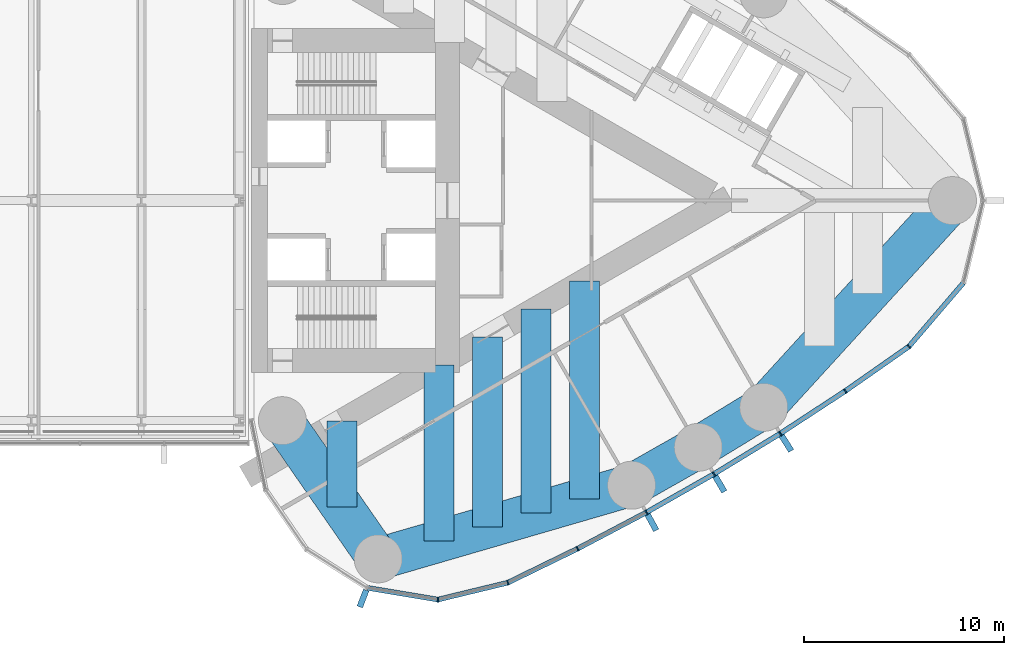
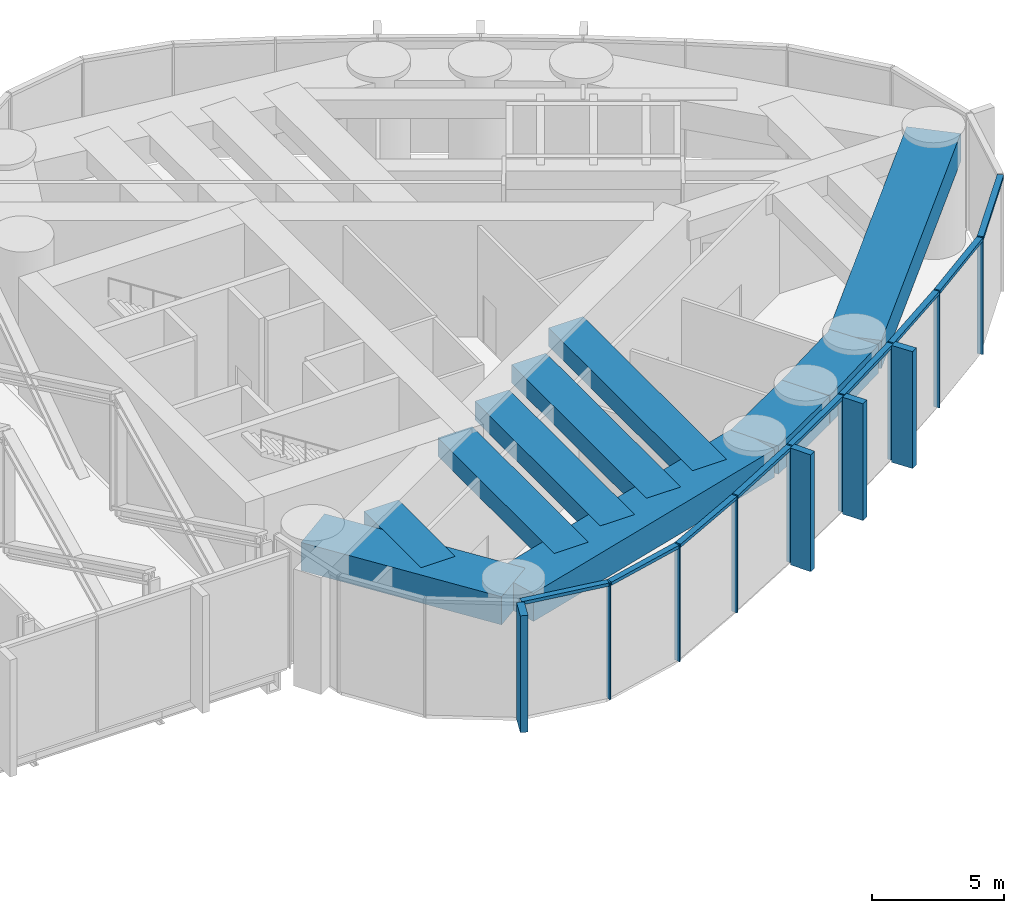
# One storey, part 9 of 21: 21 members, 10 beams, 1 element without a shape of its own.
"""IFC4 building model written with IfcOpenShell, lengths in metres."""

from ifc_helpers import new_model, si_unit, direction, frame, origin, origin_2d, place, context, subcontext, project, spatial, rectangle, extrude, material, material_profile, profile_set, type_object, element, aggregate, save


model = new_model("IFC4")

# Units and contexts
model_context = context("Model", 3, precision=1e-05, world=origin(), true_north=direction((0.0, 1.0)))
body_context = subcontext(model_context, "Body", "Model", "MODEL_VIEW")
ifc_project = project(units=[si_unit("LENGTHUNIT", "METRE"), si_unit("AREAUNIT", "SQUARE_METRE"), si_unit("VOLUMEUNIT", "CUBIC_METRE"), si_unit("PLANEANGLEUNIT", "RADIAN"), si_unit("MASSUNIT", "GRAM", prefix="KILO")], contexts=[model_context])

# Site, building, storey
site_placement = place(None, origin())
site = spatial("IfcSite", under=ifc_project, at=site_placement, CompositionType="ELEMENT")
building_placement = place(site_placement, origin())
building = spatial("IfcBuilding", under=site, at=building_placement, Name="Lancet Gate Hotel", CompositionType="ELEMENT")
storey_placement = place(building_placement, frame((0.0, 0.0, 251.89990234375)))
storey = spatial("IfcBuildingStorey", under=building, at=storey_placement, Name="L67", CompositionType="ELEMENT", Elevation=251.89990234375)

# Curtain wall, members
ifc_material_1 = material(Name="Aluminium curtain wall", Category="aluminium")
curtain_wall_type = type_object("IfcCurtainWallType", Name="Sky deck full-height glazing", PredefinedType="USERDEFINED", material=ifc_material_1)
curtain_wall_placement = place(storey_placement, origin())
curtain_wall = element("IfcCurtainWall", 1, at=curtain_wall_placement, inside=storey, type_object=curtain_wall_type, Name="T2 L67 curtain wall 1", ObjectType="UNITISED CURTAIN WALL", PredefinedType="USERDEFINED")
ifc_material_2 = material(Name="Aluminium mullion", Category="aluminium")
ifc_material_profile_1 = material_profile(ifc_material_2, rectangle(XDim=0.06494140625, YDim=0.25, at=origin_2d()), Name="MULLION 65x250")
ifc_profile_set_1 = profile_set([ifc_material_profile_1], Name="Aluminium mullion")
member_type_1 = type_object("IfcMemberType", Name="Aluminium mullion 65x250", PredefinedType="MULLION", material=ifc_profile_set_1)
member_1_placement = place(storey_placement, frame((36.826171875, -19.942138671875, 0.0), z_axis=(0.0, 0.0, 1.0), x_axis=(0.999342744911, 0.03625021647, 0.0)))
member_1 = element("IfcMember", 2, at=member_1_placement, type_object=member_type_1, Name="T2 L67 curtain wall 1 mullion 5", PredefinedType="MULLION", context=body_context, shape_type="SweptSolid", body=[
    extrude(rectangle(XDim=0.06494140625, YDim=0.25, at=origin_2d()), origin(), (0.0, 0.0, 1.0), 5.400146484375),
])
member_2_placement = place(storey_placement, frame((40.3173828125, -19.098388671875, 0.0), z_axis=(0.0, 0.0, 1.0), x_axis=(0.939483740419, 0.342593493061, 0.0)))
member_2 = element("IfcMember", 3, at=member_2_placement, type_object=member_type_1, Name="T2 L67 curtain wall 1 mullion 6", PredefinedType="MULLION", context=body_context, shape_type="SweptSolid", body=[
    extrude(rectangle(XDim=0.06494140625, YDim=0.25, at=origin_2d()), origin(), (0.0, 0.0, 1.0), 5.400146484375),
])
member_3_placement = place(storey_placement, frame((43.80810546875, -17.396240234375, 0.0), z_axis=(0.0, 0.0, 1.0), x_axis=(0.891832977257, 0.452364831389, 0.0)))
member_3 = element("IfcMember", 4, at=member_3_placement, type_object=member_type_1, Name="T2 L67 curtain wall 1 mullion 7", PredefinedType="MULLION", context=body_context, shape_type="SweptSolid", body=[
    extrude(rectangle(XDim=0.06494140625, YDim=0.25, at=origin_2d()), origin(), (0.0, 0.0, 1.0), 5.400146484375),
])
member_4_placement = place(storey_placement, frame((47.24365234375, -15.585205078125, 0.0), z_axis=(0.0, 0.0, 1.0), x_axis=(0.877194589488, 0.480135035352, 0.0)))
member_4 = element("IfcMember", 5, at=member_4_placement, type_object=member_type_1, Name="T2 L67 curtain wall 1 mullion 8", PredefinedType="MULLION", context=body_context, shape_type="SweptSolid", body=[
    extrude(rectangle(XDim=0.06494140625, YDim=0.25, at=origin_2d()), origin(), (0.0, 0.0, 1.0), 5.400146484375),
])
member_5_placement = place(storey_placement, frame((50.62060546875, -13.667236328125, 0.0), z_axis=(0.0, 0.0, 1.0), x_axis=(0.861691755738, 0.507432082247, 0.0)))
member_5 = element("IfcMember", 6, at=member_5_placement, type_object=member_type_1, Name="T2 L67 curtain wall 1 mullion 9", PredefinedType="MULLION", context=body_context, shape_type="SweptSolid", body=[
    extrude(rectangle(XDim=0.06494140625, YDim=0.25, at=origin_2d()), origin(), (0.0, 0.0, 1.0), 5.400146484375),
])
member_6_placement = place(storey_placement, frame((53.935791015625, -11.644287109375, 0.0), z_axis=(0.0, 0.0, 1.0), x_axis=(0.845339753513, 0.534229071777, 0.0)))
member_6 = element("IfcMember", 7, at=member_6_placement, type_object=member_type_1, Name="T2 L67 curtain wall 1 mullion 10", PredefinedType="MULLION", context=body_context, shape_type="SweptSolid", body=[
    extrude(rectangle(XDim=0.06494140625, YDim=0.25, at=origin_2d()), origin(), (0.0, 0.0, 1.0), 5.400146484375),
])
member_7_placement = place(storey_placement, frame((57.185791015625, -9.518310546875, 0.0), z_axis=(0.0, 0.0, 1.0), x_axis=(0.828154697184, 0.560499596371, 0.0)))
member_7 = element("IfcMember", 8, at=member_7_placement, type_object=member_type_1, Name="T2 L67 curtain wall 1 mullion 11", PredefinedType="MULLION", context=body_context, shape_type="SweptSolid", body=[
    extrude(rectangle(XDim=0.06494140625, YDim=0.25, at=origin_2d()), origin(), (0.0, 0.0, 1.0), 5.400146484375),
])
member_8_placement = place(storey_placement, frame((60.367431640625, -7.291259765625, 0.0), z_axis=(0.0, 0.0, 1.0), x_axis=(0.737323173512, 0.675540182226, 0.0)))
member_8 = element("IfcMember", 9, at=member_8_placement, type_object=member_type_1, Name="T2 L67 curtain wall 1 mullion 12", PredefinedType="MULLION", context=body_context, shape_type="SweptSolid", body=[
    extrude(rectangle(XDim=0.06494140625, YDim=0.25, at=origin_2d()), origin(), (0.0, 0.0, 1.0), 5.400146484375),
])
ifc_material_3 = material(Name="Aluminium transom", Category="aluminium")
ifc_material_profile_2 = material_profile(ifc_material_3, rectangle(XDim=0.25, YDim=0.14990234375, at=origin_2d()), Name="TRANSOM 250x150")
ifc_profile_set_2 = profile_set([ifc_material_profile_2], Name="Aluminium transom")
member_type_2 = type_object("IfcMemberType", Name="Aluminium transom 250x150", PredefinedType="USERDEFINED", material=ifc_profile_set_2)
member_9_placement = place(storey_placement, frame((33.315185546875, -19.35888671875, 5.3251953125), z_axis=(0.986483584545, -0.163860115412, 0.0), x_axis=(0.163860115412, 0.986483584545, 0.0)))
member_9 = element("IfcMember", 10, at=member_9_placement, type_object=member_type_2, Name="T2 L67 curtain wall 1 transom 4", ObjectType="TRANSOM", PredefinedType="USERDEFINED", context=body_context, shape_type="SweptSolid", body=[
    extrude(rectangle(XDim=0.25, YDim=0.14990234375, at=origin_2d()), origin(), (0.0, 0.0, 1.0), 3.526611328125),
])
member_10_placement = place(storey_placement, frame((36.85791015625, -19.9345703125, 5.3251953125), z_axis=(0.972002653858, 0.234969872307, 0.0), x_axis=(-0.234969872307, 0.972002653858, 0.0)))
member_10 = element("IfcMember", 11, at=member_10_placement, type_object=member_type_2, Name="T2 L67 curtain wall 1 transom 5", ObjectType="TRANSOM", PredefinedType="USERDEFINED", context=body_context, shape_type="SweptSolid", body=[
    extrude(rectangle(XDim=0.25, YDim=0.14990234375, at=origin_2d()), origin(), (0.0, 0.0, 1.0), 3.5263671875),
])
member_11_placement = place(storey_placement, frame((40.346435546875, -19.084228515625, 5.3251953125), z_axis=(0.898820051991, 0.438317823206, 0.0), x_axis=(-0.438317823206, 0.898820051991, 0.0)))
member_11 = element("IfcMember", 12, at=member_11_placement, type_object=member_type_2, Name="T2 L67 curtain wall 1 transom 6", ObjectType="TRANSOM", PredefinedType="USERDEFINED", context=body_context, shape_type="SweptSolid", body=[
    extrude(rectangle(XDim=0.25, YDim=0.14990234375, at=origin_2d()), origin(), (0.0, 0.0, 1.0), 3.81884765625),
])
member_12_placement = place(storey_placement, frame((43.836669921875, -17.381103515625, 5.3251953125), z_axis=(0.884618491031, 0.466315478325, 0.0), x_axis=(-0.466315478325, 0.884618491031, 0.0)))
member_12 = element("IfcMember", 13, at=member_12_placement, type_object=member_type_2, Name="T2 L67 curtain wall 1 transom 7", ObjectType="TRANSOM", PredefinedType="USERDEFINED", context=body_context, shape_type="SweptSolid", body=[
    extrude(rectangle(XDim=0.25, YDim=0.14990234375, at=origin_2d()), origin(), (0.0, 0.0, 1.0), 3.81884765625),
])
member_13_placement = place(storey_placement, frame((47.271728515625, -15.569091796875, 5.3251953125), z_axis=(0.869562011924, 0.493823761496, 0.0), x_axis=(-0.493823761496, 0.869562011924, 0.0)))
member_13 = element("IfcMember", 14, at=member_13_placement, type_object=member_type_2, Name="T2 L67 curtain wall 1 transom 8", ObjectType="TRANSOM", PredefinedType="USERDEFINED", context=body_context, shape_type="SweptSolid", body=[
    extrude(rectangle(XDim=0.25, YDim=0.14990234375, at=origin_2d()), origin(), (0.0, 0.0, 1.0), 3.818603515625),
])
member_14_placement = place(storey_placement, frame((50.648193359375, -13.650390625, 5.3251953125), z_axis=(0.853638798527, 0.520865435261, 0.0), x_axis=(-0.520865435261, 0.853638798527, 0.0)))
member_14 = element("IfcMember", 15, at=member_14_placement, type_object=member_type_2, Name="T2 L67 curtain wall 1 transom 9", ObjectType="TRANSOM", PredefinedType="USERDEFINED", context=body_context, shape_type="SweptSolid", body=[
    extrude(rectangle(XDim=0.25, YDim=0.14990234375, at=origin_2d()), origin(), (0.0, 0.0, 1.0), 3.818603515625),
])
member_15_placement = place(storey_placement, frame((53.962890625, -11.62646484375, 5.3251953125), z_axis=(0.836858089593, 0.547419891749, 0.0), x_axis=(-0.547419891749, 0.836858089593, 0.0)))
member_15 = element("IfcMember", 16, at=member_15_placement, type_object=member_type_2, Name="T2 L67 curtain wall 1 transom 10", ObjectType="TRANSOM", PredefinedType="USERDEFINED", context=body_context, shape_type="SweptSolid", body=[
    extrude(rectangle(XDim=0.25, YDim=0.14990234375, at=origin_2d()), origin(), (0.0, 0.0, 1.0), 3.818603515625),
])
member_16_placement = place(storey_placement, frame((57.21240234375, -9.499755859375, 5.3251953125), z_axis=(0.819255948852, 0.573428016642, 0.0), x_axis=(-0.573428016642, 0.819255948852, 0.0)))
member_16 = element("IfcMember", 17, at=member_16_placement, type_object=member_type_2, Name="T2 L67 curtain wall 1 transom 11", ObjectType="TRANSOM", PredefinedType="USERDEFINED", context=body_context, shape_type="SweptSolid", body=[
    extrude(rectangle(XDim=0.25, YDim=0.14990234375, at=origin_2d()), origin(), (0.0, 0.0, 1.0), 3.818603515625),
])
member_17_placement = place(storey_placement, frame((60.388427734375, -7.2666015625, 5.3251953125), z_axis=(0.650592500186, 0.759427019997, 0.0), x_axis=(-0.759427019997, 0.650592500186, 0.0)))
member_17 = element("IfcMember", 18, at=member_17_placement, type_object=member_type_2, Name="T2 L67 curtain wall 1 transom 12", ObjectType="TRANSOM", PredefinedType="USERDEFINED", context=body_context, shape_type="SweptSolid", body=[
    extrude(rectangle(XDim=0.25, YDim=0.14990234375, at=origin_2d()), origin(), (0.0, 0.0, 1.0), 4.1455078125),
])

# Beams
ifc_material_4 = material(Name="Concrete C50/60", Category="concrete")
ifc_material_profile_3 = material_profile(ifc_material_4, rectangle(XDim=2.10009765625, YDim=1.300048828125, at=origin_2d()), Name="RC 2100x1300")
ifc_profile_set_3 = profile_set([ifc_material_profile_3], Name="Concrete C50/60")
beam_type_1 = type_object("IfcBeamType", Name="Edge beam RC 2100x1300", PredefinedType="SPANDREL", material=ifc_profile_set_3)
beam_1_placement = place(storey_placement, frame((33.837158203125, -17.906005859375, 4.5), z_axis=(0.960258384252, 0.279112585659, 0.0), x_axis=(-0.279112585659, 0.960258384252, 0.0)))
element("IfcBeam", 19, at=beam_1_placement, inside=storey, type_object=beam_type_1, Name="T2 edge beam EB1 L67", PredefinedType="SPANDREL", context=body_context, shape_type="SweptSolid", body=[
    extrude(rectangle(XDim=2.10009765625, YDim=1.300048828125, at=origin_2d()), origin(), (0.0, 0.0, 1.0), 13.18603515625),
])
beam_2_placement = place(storey_placement, frame((46.499267578125, -14.2255859375, 4.5), z_axis=(0.869560321562, 0.493826738001, 0.0), x_axis=(-0.493826738001, 0.869560321562, 0.0)))
element("IfcBeam", 20, at=beam_2_placement, inside=storey, type_object=beam_type_1, Name="T2 edge beam EB1 L67", PredefinedType="SPANDREL", context=body_context, shape_type="SweptSolid", body=[
    extrude(rectangle(XDim=2.10009765625, YDim=1.300048828125, at=origin_2d()), origin(), (0.0, 0.0, 1.0), 3.8349609375),
])
beam_3_placement = place(storey_placement, frame((49.833984375, -12.331787109375, 4.5), z_axis=(0.853604257265, 0.520922040212, 0.0), x_axis=(-0.520922040212, 0.853604257265, 0.0)))
element("IfcBeam", 21, at=beam_3_placement, inside=storey, type_object=beam_type_1, Name="T2 edge beam EB1 L67", PredefinedType="SPANDREL", context=body_context, shape_type="SweptSolid", body=[
    extrude(rectangle(XDim=2.10009765625, YDim=1.300048828125, at=origin_2d()), origin(), (0.0, 0.0, 1.0), 3.835205078125),
])
beam_4_placement = place(storey_placement, frame((53.107666015625, -10.333984375, 4.5), z_axis=(0.674209372947, 0.738540263919, 0.0), x_axis=(-0.738540263919, 0.674209372947, 0.0)))
element("IfcBeam", 22, at=beam_4_placement, inside=storey, type_object=beam_type_1, Name="T2 edge beam EB1 L67", PredefinedType="SPANDREL", context=body_context, shape_type="SweptSolid", body=[
    extrude(rectangle(XDim=2.10009765625, YDim=1.300048828125, at=origin_2d()), origin(), (0.0, 0.0, 1.0), 13.992431640625),
])
beam_5_placement = place(storey_placement, frame((33.837158203125, -17.906005859375, 4.5), z_axis=(-0.569694852599, 0.821856298219, 0.0), x_axis=(-0.821856298219, -0.569694852599, 0.0)))
element("IfcBeam", 23, at=beam_5_placement, inside=storey, type_object=beam_type_1, Name="T2 edge beam EB1 L67", PredefinedType="SPANDREL", context=body_context, shape_type="SweptSolid", body=[
    extrude(rectangle(XDim=2.10009765625, YDim=1.300048828125, at=origin_2d()), origin(), (0.0, 0.0, 1.0), 8.40283203125),
])

# Member
ifc_material_5 = material(Name="Precast concrete C50/60", Category="concrete")
ifc_material_profile_4 = material_profile(ifc_material_5, rectangle(XDim=0.300048828125, YDim=0.89990234375, at=origin_2d()), Name="FIN 300x900")
ifc_profile_set_4 = profile_set([ifc_material_profile_4], Name="Precast concrete C50/60")
member_type_3 = type_object("IfcMemberType", Name="Exposed concrete fin 300x900", PredefinedType="USERDEFINED", material=ifc_profile_set_4)
member_18_placement = place(storey_placement, frame((33.07763671875, -19.890625, 0.0), z_axis=(0.0, 0.0, 1.0), x_axis=(0.93394321776, -0.357421412343, 0.0)))
member_18 = element("IfcMember", 24, at=member_18_placement, type_object=member_type_3, Name="T2 L67 curtain wall 1 fin 4", ObjectType="FIN", PredefinedType="USERDEFINED", context=body_context, shape_type="SweptSolid", body=[
    extrude(rectangle(XDim=0.300048828125, YDim=0.89990234375, at=origin_2d()), origin(), (0.0, 0.0, 1.0), 5.400146484375),
])

member_19_placement = place(storey_placement, frame((47.51953125, -16.089599609375, 0.0), z_axis=(0.0, 0.0, 1.0), x_axis=(0.877194589488, 0.480135035352, 0.0)))
member_19 = element("IfcMember", 25, at=member_19_placement, type_object=member_type_3, Name="T2 L67 curtain wall 1 fin 8", ObjectType="FIN", PredefinedType="USERDEFINED", context=body_context, shape_type="SweptSolid", body=[
    extrude(rectangle(XDim=0.300048828125, YDim=0.89990234375, at=origin_2d()), origin(), (0.0, 0.0, 1.0), 5.400146484375),
])

member_20_placement = place(storey_placement, frame((50.912353515625, -14.162841796875, 0.0), z_axis=(0.0, 0.0, 1.0), x_axis=(0.861691755738, 0.507432082247, 0.0)))
member_20 = element("IfcMember", 26, at=member_20_placement, type_object=member_type_3, Name="T2 L67 curtain wall 1 fin 9", ObjectType="FIN", PredefinedType="USERDEFINED", context=body_context, shape_type="SweptSolid", body=[
    extrude(rectangle(XDim=0.300048828125, YDim=0.89990234375, at=origin_2d()), origin(), (0.0, 0.0, 1.0), 5.400146484375),
])

member_21_placement = place(storey_placement, frame((54.242919921875, -12.13037109375, 0.0), z_axis=(0.0, 0.0, 1.0), x_axis=(0.845339753513, 0.534229071777, 0.0)))
member_21 = element("IfcMember", 27, at=member_21_placement, type_object=member_type_3, Name="T2 L67 curtain wall 1 fin 10", ObjectType="FIN", PredefinedType="USERDEFINED", context=body_context, shape_type="SweptSolid", body=[
    extrude(rectangle(XDim=0.300048828125, YDim=0.89990234375, at=origin_2d()), origin(), (0.0, 0.0, 1.0), 5.400146484375),
])

aggregate(curtain_wall, [member_18, member_1, member_2, member_3, member_4, member_19, member_5, member_20, member_6, member_21, member_7, member_8, member_9, member_10, member_11, member_12, member_13, member_14, member_15, member_16, member_17])

# Beams
ifc_material_6 = material(Name="Concrete C50/60", Category="concrete")
ifc_material_profile_5 = material_profile(ifc_material_6, rectangle(XDim=1.5, YDim=0.85009765625, at=origin_2d()), Name="RC 1500x850")
ifc_profile_set_5 = profile_set([ifc_material_profile_5], Name="Concrete C50/60")
beam_type_2 = type_object("IfcBeamType", Name="Floor beam RC 1500x850", PredefinedType="BEAM", material=ifc_profile_set_5)
beam_6_placement = place(storey_placement, frame((32.04052734375, -15.31396484375, 4.72509765625), z_axis=(0.0, 1.0, 0.0), x_axis=(-1.0, 0.0, 0.0)))
element("IfcBeam", 28, at=beam_6_placement, inside=storey, type_object=beam_type_2, Name="T2 floor beam F01S L67", PredefinedType="BEAM", context=body_context, shape_type="SweptSolid", body=[
    extrude(rectangle(XDim=1.5, YDim=0.85009765625, at=origin_2d()), origin(), (0.0, 0.0, 1.0), 4.30859375),
])
beam_7_placement = place(storey_placement, frame((36.880859375, -17.021240234375, 4.72509765625), z_axis=(0.0, 1.0, 0.0), x_axis=(-1.0, 0.0, 0.0)))
element("IfcBeam", 29, at=beam_7_placement, inside=storey, type_object=beam_type_2, Name="T2 floor beam F03S L67", PredefinedType="BEAM", context=body_context, shape_type="SweptSolid", body=[
    extrude(rectangle(XDim=1.5, YDim=0.85009765625, at=origin_2d()), origin(), (0.0, 0.0, 1.0), 8.810546875),
])
beam_8_placement = place(storey_placement, frame((39.301025390625, -16.31787109375, 4.72509765625), z_axis=(0.0, 1.0, 0.0), x_axis=(-1.0, 0.0, 0.0)))
element("IfcBeam", 30, at=beam_8_placement, inside=storey, type_object=beam_type_2, Name="T2 floor beam F05S L67", PredefinedType="BEAM", context=body_context, shape_type="SweptSolid", body=[
    extrude(rectangle(XDim=1.5, YDim=0.85009765625, at=origin_2d()), origin(), (0.0, 0.0, 1.0), 9.50439453125),
])
beam_9_placement = place(storey_placement, frame((41.721435546875, -15.6142578125, 4.72509765625), z_axis=(0.0, 1.0, 0.0), x_axis=(-1.0, 0.0, 0.0)))
element("IfcBeam", 31, at=beam_9_placement, inside=storey, type_object=beam_type_2, Name="T2 floor beam F07S L67", PredefinedType="BEAM", context=body_context, shape_type="SweptSolid", body=[
    extrude(rectangle(XDim=1.5, YDim=0.85009765625, at=origin_2d()), origin(), (0.0, 0.0, 1.0), 10.1982421875),
])
beam_10_placement = place(storey_placement, frame((44.1416015625, -14.910888671875, 4.72509765625), z_axis=(0.0, 1.0, 0.0), x_axis=(-1.0, 0.0, 0.0)))
element("IfcBeam", 32, at=beam_10_placement, inside=storey, type_object=beam_type_2, Name="T2 floor beam F09S L67", PredefinedType="BEAM", context=body_context, shape_type="SweptSolid", body=[
    extrude(rectangle(XDim=1.5, YDim=0.85009765625, at=origin_2d()), origin(), (0.0, 0.0, 1.0), 10.89208984375),
])

save(model, "model.ifc")
